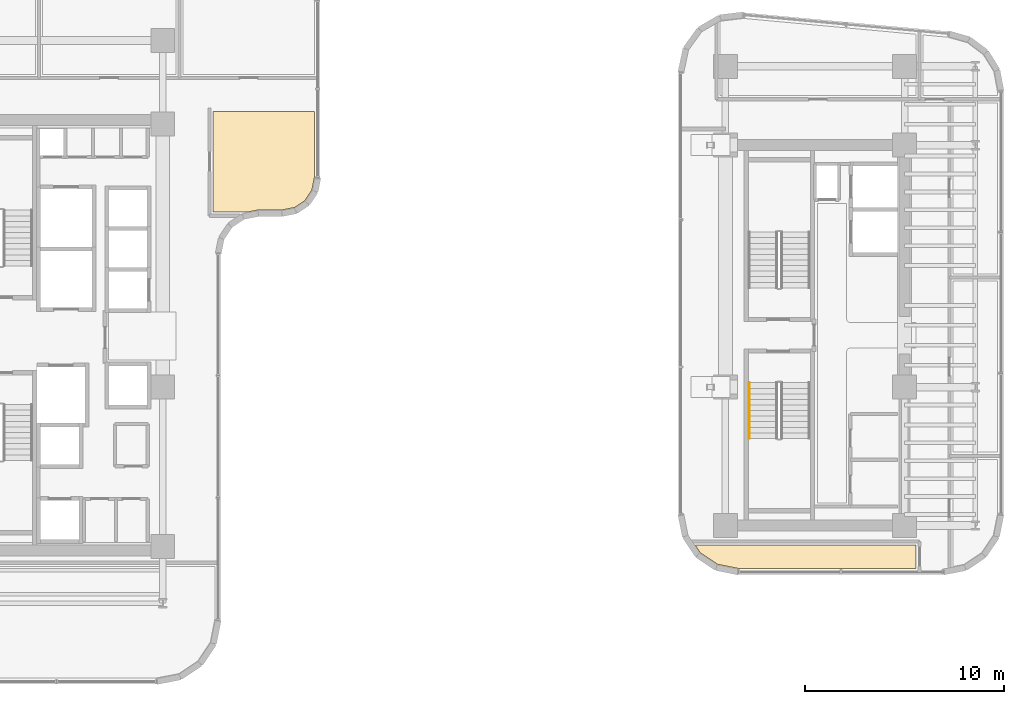
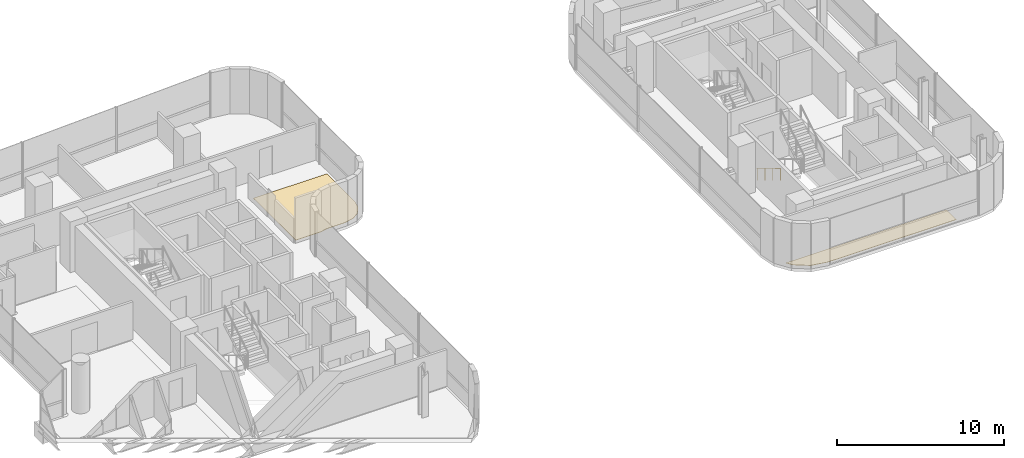
# One storey, part 33 of 35: 2 coverings, 1 railing.
"""IFC4 building model written with IfcOpenShell, lengths in metres."""

import ifcopenshell
import ifcopenshell.guid

model = None  # the IFC model being written
_history = None  # IfcOwnerHistory: only IFC2X3 demands one
_inside = {}  # id of a spatial element -> (the spatial element, [elements in it])
_under = {}  # id of a project, library or spatial element -> (it, [spatial elements below it])
_declared = {}  # id of a project -> (the project, [libraries it declares])
_typed = {}  # id of a type object -> (the type object, [elements of that type])
_made_of = {}  # id of a material, layer set ... -> (it, [elements and type objects made of it])


def new_model(schema):
    """Start an empty IFC model of exactly this schema.

    Asked for "IFC4X3", IfcOpenShell would pick the latest addendum, in which some entities
    have other attributes; the version numbers below select the first issue.
    IFC2X3 requires an IfcOwnerHistory on every rooted entity: one is made here for all.
    """
    global model, _history
    if schema == "IFC4X3":
        model = ifcopenshell.file(schema_version=(4, 3, 0, 0))
    else:
        model = ifcopenshell.file(schema=schema)
    _inside.clear()
    _under.clear()
    _declared.clear()
    _typed.clear()
    _made_of.clear()
    _history = None
    if model.schema == "IFC2X3":
        org = make("IfcOrganization", Name="unknown")
        user = make(
            "IfcPersonAndOrganization",
            ThePerson=make("IfcPerson", FamilyName="unknown"),
            TheOrganization=org,
        )
        app = make(
            "IfcApplication",
            ApplicationDeveloper=org,
            Version="unknown",
            ApplicationFullName="unknown",
            ApplicationIdentifier="unknown",
        )
        _history = make(
            "IfcOwnerHistory",
            OwningUser=user,
            OwningApplication=app,
            ChangeAction="ADDED",
            CreationDate=0,
        )
    return model


def make(cls, **values):
    """One entity of the class cls with the attributes given. An attribute that is None is left unset."""
    return model.create_entity(
        cls, **{name: value for name, value in values.items() if value is not None}
    )


def rooted(cls, **values):
    """An entity with a GlobalId (a new one), such as an element, a storey or a relation."""
    return make(cls, GlobalId=ifcopenshell.guid.new(), OwnerHistory=_history, **values)


def si_unit(unit_type, name, prefix=None):
    """IfcSIUnit, for example si_unit("LENGTHUNIT", "METRE", prefix="MILLI")."""
    return make("IfcSIUnit", UnitType=unit_type, Prefix=prefix, Name=name)


def assignment(units):
    """IfcUnitAssignment: the units of a project."""
    return None if units is None else make("IfcUnitAssignment", Units=units)


def point(xyz):
    """IfcCartesianPoint."""
    return None if xyz is None else make("IfcCartesianPoint", Coordinates=xyz)


def direction(xyz):
    """IfcDirection."""
    return None if xyz is None else make("IfcDirection", DirectionRatios=xyz)


def frame(location, z_axis=None, x_axis=None):
    """IfcAxis2Placement3D, a coordinate frame: its origin and axes. An axis left out is left unset."""
    return make(
        "IfcAxis2Placement3D",
        Location=point(location),
        Axis=direction(z_axis),
        RefDirection=direction(x_axis),
    )


def frame_2d(location, x_axis=None):
    """IfcAxis2Placement2D, a coordinate frame in the plane: its origin and x axis."""
    return make(
        "IfcAxis2Placement2D", Location=point(location), RefDirection=direction(x_axis)
    )


def origin():
    """The frame at (0, 0, 0) with its axes left unset."""
    return frame((0.0, 0.0, 0.0))


def origin_2d():
    """The frame at (0, 0) in the plane with its x axis left unset."""
    return frame_2d((0.0, 0.0))


def place(relative_to, where):
    """IfcLocalPlacement: puts the frame where relative to a parent placement (None: the world)."""
    return make(
        "IfcLocalPlacement", PlacementRelTo=relative_to, RelativePlacement=where
    )


def context(
    kind, dimensions, precision=None, world=None, true_north=None, identifier=None
):
    """IfcGeometricRepresentationContext, for example the 3D "Model" context."""
    return make(
        "IfcGeometricRepresentationContext",
        ContextIdentifier=identifier,
        ContextType=kind,
        CoordinateSpaceDimension=dimensions,
        Precision=precision,
        WorldCoordinateSystem=world,
        TrueNorth=true_north,
    )


def subcontext(parent, identifier, kind, view, scale=None):
    """IfcGeometricRepresentationSubContext, for example "Body" below "Model"."""
    return make(
        "IfcGeometricRepresentationSubContext",
        ContextIdentifier=identifier,
        ContextType=kind,
        ParentContext=parent,
        TargetScale=scale,
        TargetView=view,
    )


def project(units=None, contexts=None):
    """IfcProject with its units and contexts."""
    return rooted(
        "IfcProject",
        Name="project",
        RepresentationContexts=contexts,
        UnitsInContext=assignment(units),
    )


def spatial(cls, under=None, at=None, **own):
    """A site, building, storey or space (cls), placed at a placement, below another one or the project."""
    s = rooted(cls, ObjectPlacement=at, **own)
    if under is not None:
        _under.setdefault(under.id(), (under, []))[1].append(s)
    return s


def polyline(points):
    """IfcPolyline through the points."""
    return make("IfcPolyline", Points=[point(p) for p in points])


def profile(cls, at=None, kind="AREA", **sizes):
    """A parametric profile (cls). Its sizes go by their IFC names, for example OverallWidth=200.0."""
    return make(cls, ProfileType=kind, Position=at, **sizes)


def circle(**sizes):
    """IfcCircleProfileDef."""
    return profile("IfcCircleProfileDef", **sizes)


def outline(outer, holes=None, kind="AREA"):
    """IfcArbitraryClosedProfileDef: a profile drawn as a closed curve; with holes, ...WithVoids."""
    if holes is None:
        return make("IfcArbitraryClosedProfileDef", ProfileType=kind, OuterCurve=outer)
    return make(
        "IfcArbitraryProfileDefWithVoids",
        ProfileType=kind,
        OuterCurve=outer,
        InnerCurves=holes,
    )


def extrude(swept, where, along, depth):
    """IfcExtrudedAreaSolid: the profile swept, set in the frame where, extruded along a direction by depth."""
    return make(
        "IfcExtrudedAreaSolid",
        SweptArea=swept,
        Position=where,
        ExtrudedDirection=direction(along),
        Depth=depth,
    )


def shape(context_of_items, identifier, shape_type, items):
    """IfcShapeRepresentation: the items that make up one representation, for example the "Body"."""
    return make(
        "IfcShapeRepresentation",
        ContextOfItems=context_of_items,
        RepresentationIdentifier=identifier,
        RepresentationType=shape_type,
        Items=items,
    )


def material(Name=None, Category=None):
    """IfcMaterial."""
    return make("IfcMaterial", Name=Name, Category=Category)


def layer(
    of_material, thickness, ventilated=None, Name=None, Category=None, Priority=None
):
    """IfcMaterialLayer: one layer of a wall or slab, of a material (None: an air gap)."""
    return make(
        "IfcMaterialLayer",
        Material=of_material,
        LayerThickness=thickness,
        IsVentilated=ventilated,
        Name=Name,
        Category=Category,
        Priority=Priority,
    )


def layer_set(layers, Name=None):
    """IfcMaterialLayerSet."""
    return make("IfcMaterialLayerSet", MaterialLayers=layers, LayerSetName=Name)


def made_of(thing, what):
    """Note that an element or type object is made of a material, layer set ...; save() writes the relation."""
    if what is not None:
        _made_of.setdefault(what.id(), (what, []))[1].append(thing)
    return thing


def type_object(cls, material=None, **own):
    """A type object (cls), such as IfcWallType, which elements share."""
    return made_of(rooted(cls, **own), material)


def element(
    cls,
    number,
    at=None,
    inside=None,
    cuts=None,
    type_object=None,
    material=None,
    context=None,
    identifier="Body",
    shape_type=None,
    held_by="IfcProductDefinitionShape",
    body=None,
    shapes=None,
    **own,
):
    """One element of the class cls, such as IfcWall. Its Tag is "e" and its number.

    at: its placement. inside: the storey or other place that contains it. cuts: it is an
    opening in that element (IfcRelVoidsElement). A single representation is given by context,
    identifier, shape_type and body (its items); several are given by shapes. held_by: the class
    of the entity that holds the representations. save() writes the other relations.
    """
    e = rooted(cls, Tag="e%d" % number, ObjectPlacement=at, **own)
    if body is not None:
        shapes = [shape(context, identifier, shape_type, body)]
    if shapes is not None:
        e.Representation = make(held_by, Representations=shapes)
    if inside is not None:
        _inside.setdefault(inside.id(), (inside, []))[1].append(e)
    if cuts is not None:
        rooted(
            "IfcRelVoidsElement", RelatingBuildingElement=cuts, RelatedOpeningElement=e
        )
    if type_object is not None:
        _typed.setdefault(type_object.id(), (type_object, []))[1].append(e)
    return made_of(e, material)


def aggregate(whole, parts):
    """IfcRelAggregates: a whole, such as a stair, and the parts it consists of."""
    return rooted("IfcRelAggregates", RelatingObject=whole, RelatedObjects=parts)


def save(model, path):
    """Write the relations noted so far, then the file.

    IfcRelAggregates (storeys below a building ...), IfcRelContainedInSpatialStructure (elements
    in a storey), IfcRelDefinesByType, IfcRelAssociatesMaterial and IfcRelDeclares: one each for
    every whole, place, type object, material and project.
    """
    for whole, parts in _under.values():
        aggregate(whole, parts)
    for where, things in _inside.values():
        rooted(
            "IfcRelContainedInSpatialStructure",
            RelatedElements=things,
            RelatingStructure=where,
        )
    for kind, things in _typed.values():
        rooted("IfcRelDefinesByType", RelatedObjects=things, RelatingType=kind)
    for what, things in _made_of.values():
        rooted("IfcRelAssociatesMaterial", RelatedObjects=things, RelatingMaterial=what)
    for by, libraries in _declared.values():
        rooted("IfcRelDeclares", RelatingContext=by, RelatedDefinitions=libraries)
    model.write(path)


model = new_model("IFC4")

# Units and contexts
model_context = context("Model", 3, precision=1e-05, world=origin(), true_north=direction((0.0, 1.0)))
body_context = subcontext(model_context, "Body", "Model", "MODEL_VIEW")
ifc_project = project(units=[si_unit("LENGTHUNIT", "METRE"), si_unit("AREAUNIT", "SQUARE_METRE"), si_unit("VOLUMEUNIT", "CUBIC_METRE"), si_unit("PLANEANGLEUNIT", "RADIAN"), si_unit("MASSUNIT", "GRAM", prefix="KILO")], contexts=[model_context])

# Site, building, storey
site_placement = place(None, origin())
site = spatial("IfcSite", under=ifc_project, at=site_placement, CompositionType="ELEMENT")
building_placement = place(site_placement, origin())
building = spatial("IfcBuilding", under=site, at=building_placement, Name="Valdorenza Pilgrim Sanctuary Tower", CompositionType="ELEMENT")
storey_placement = place(building_placement, frame((0.0, 0.0, 168.60009765625)))
storey = spatial("IfcBuildingStorey", under=building, at=storey_placement, Name="L43", CompositionType="ELEMENT", Elevation=168.60009765625)

# Coverings
ifc_material_1 = material(Name="Honed travertine stone flooring", Category="masonry")
ifc_layer = layer(ifc_material_1, 0.030029296875, Name="Honed travertine stone flooring")
ifc_layer_set = layer_set([ifc_layer], Name="Honed travertine stone flooring")
covering_type = type_object("IfcCoveringType", Name="COV-FLR-TRV", PredefinedType="FLOORING", material=ifc_layer_set)
covering_1_placement = place(storey_placement, origin())
element("IfcCovering", 1, at=covering_1_placement, inside=storey, type_object=covering_type, Name="L43 Pilgrim Scholar Office L43-E1 Flooring", PredefinedType="FLOORING", context=body_context, shape_type="SweptSolid", body=[
    extrude(outline(polyline([(-9.8701171875, 11.239990234375), (-4.7900390625, 11.239990234375), (-4.7900390625, 7.9287109375), (-4.917724609375, 7.2861328125), (-5.265625, 6.765625), (-5.7861328125, 6.417724609375), (-6.4287109375, 6.2900390625), (-7.60009765625, 6.2900390625), (-7.60888671875, 6.289794921875), (-7.61962890625, 6.289306640625), (-7.63720703125, 6.28759765625), (-7.64794921875, 6.285888671875), (-7.656494140625, 6.284423828125), (-8.181640625, 6.179931640625), (-9.8701171875, 6.179931640625), (-9.8701171875, 11.239990234375)])), origin(), (0.0, 0.0, 1.0), 0.02490234375),
])
covering_2_placement = place(storey_placement, origin())
element("IfcCovering", 2, at=covering_2_placement, inside=storey, type_object=covering_type, Name="L43 Sacred Manuscript Archive L43-BS Flooring", PredefinedType="FLOORING", context=body_context, shape_type="SweptSolid", body=[
    extrude(outline(polyline([(25.419921875, -11.7099609375), (16.528564453125, -11.7099609375), (15.465087890625, -11.498291015625), (14.587890625, -10.912109375), (14.33251953125, -10.530029296875), (25.419921875, -10.530029296875), (25.419921875, -11.7099609375)])), origin(), (0.0, 0.0, 1.0), 0.02490234375),
])

# Railing
ifc_material_2 = material(Name="Brushed stainless steel Grade 316", Category="steel")
railing_type = type_object("IfcRailingType", Name="RLG-HND-920", PredefinedType="HANDRAIL", material=ifc_material_2)
railing_placement = place(storey_placement, frame((17.050048828125, -2.3798828125, 0.16796875)))
element("IfcRailing", 3, at=railing_placement, inside=storey, type_object=railing_type, Name="L43 ST-B2 stair handrail 1", PredefinedType="HANDRAIL", context=body_context, shape_type="SweptSolid", body=[
    extrude(circle(Radius=0.02392578125, at=origin_2d()), frame((0.0, 0.0, 0.8759765625), z_axis=(0.0, -0.857242210791, 0.514913383045), x_axis=(1.0, 0.0, 0.0)), (0.0, 0.0, 1.0), 3.266357421875),
    extrude(circle(Radius=0.02099609375, at=origin_2d()), origin(), (0.0, 0.0, 1.0), 0.851806640625),
    extrude(circle(Radius=0.02099609375, at=origin_2d()), frame((0.0, -0.933349609375, 0.560546875)), (0.0, 0.0, 1.0), 0.851806640625),
    extrude(circle(Radius=0.02099609375, at=origin_2d()), frame((0.0, -1.86669921875, 1.121337890625)), (0.0, 0.0, 1.0), 0.851806640625),
    extrude(circle(Radius=0.02099609375, at=origin_2d()), frame((0.0, -2.800048828125, 1.681884765625)), (0.0, 0.0, 1.0), 0.851806640625),
])

save(model, "model.ifc")
